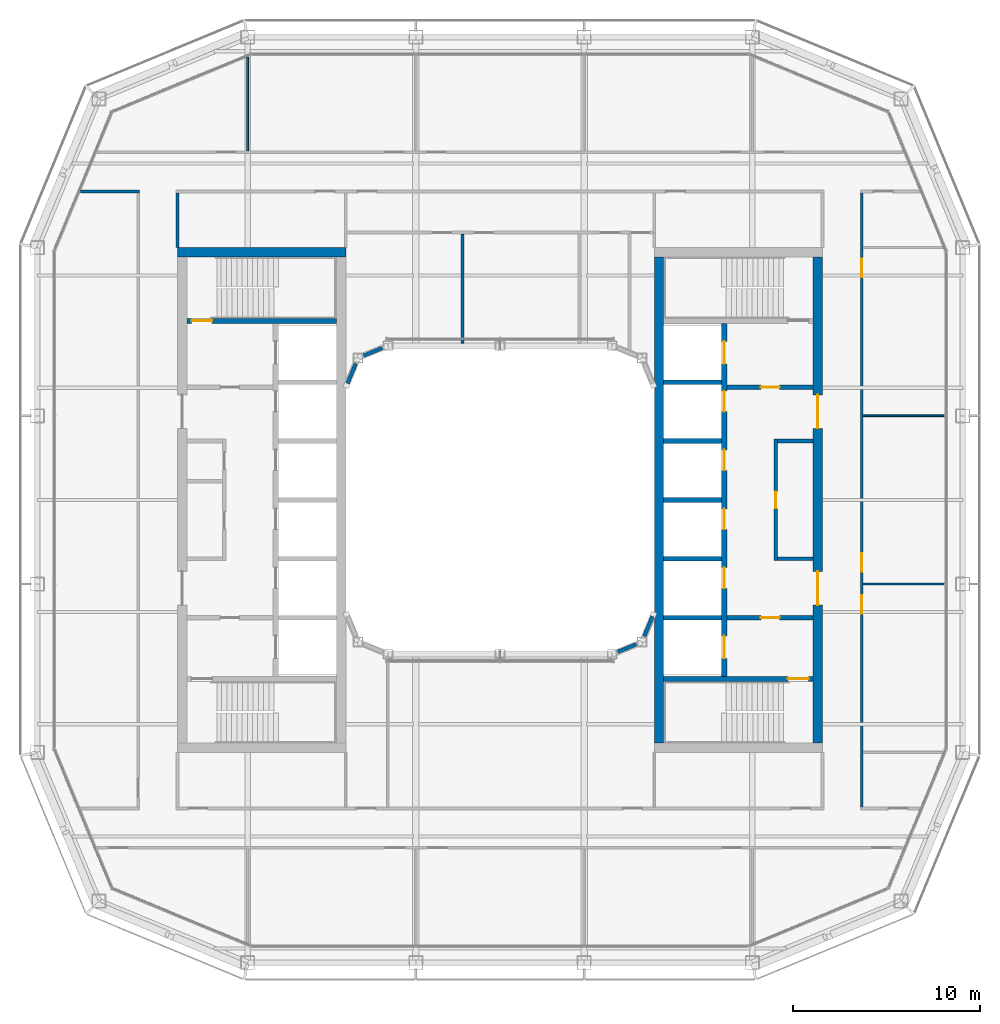
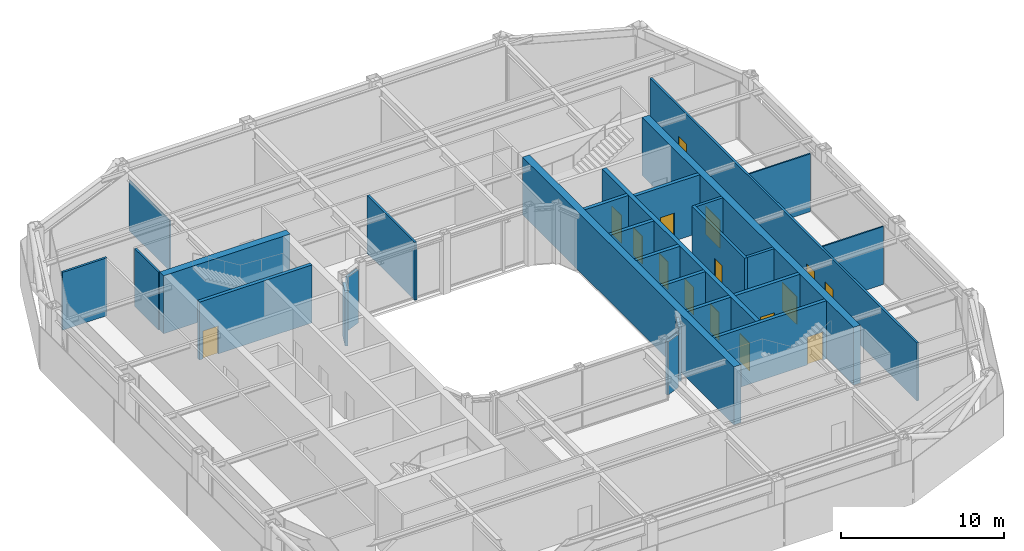
# One storey, part 11 of 17: 27 walls, 16 doors, 16 openings.
"""IFC4 building model written with IfcOpenShell, lengths in metres."""

from ifc_helpers import new_model, si_unit, direction, frame, frame_2d, origin, place, context, subcontext, project, spatial, rectangle, extrude, material, layer, layer_set, type_object, element, fill, save


model = new_model("IFC4")

# Units and contexts
model_context = context("Model", 3, precision=1e-05, world=origin(), true_north=direction((0.0, 1.0)))
body_context = subcontext(model_context, "Body", "Model", "MODEL_VIEW")
ifc_project = project(units=[si_unit("LENGTHUNIT", "METRE"), si_unit("AREAUNIT", "SQUARE_METRE"), si_unit("VOLUMEUNIT", "CUBIC_METRE"), si_unit("PLANEANGLEUNIT", "RADIAN"), si_unit("MASSUNIT", "GRAM", prefix="KILO")], contexts=[model_context])

# Site, building, storey
site_placement = place(None, origin())
site = spatial("IfcSite", under=ifc_project, at=site_placement, CompositionType="ELEMENT")
building_placement = place(site_placement, origin())
building = spatial("IfcBuilding", under=site, at=building_placement, Name="Siwar Civic Tower", CompositionType="ELEMENT")
storey_placement = place(building_placement, frame((0.0, 0.0, 289.699951171875)))
storey = spatial("IfcBuildingStorey", under=building, at=storey_placement, Name="L62", CompositionType="ELEMENT", Elevation=289.699951171875)

# Wall, opening, door
ifc_material_1 = material(Name="Gypsum board on steel studs", Category="steel")
ifc_layer_1 = layer(ifc_material_1, 0.199951171875)
ifc_layer_set_1 = layer_set([ifc_layer_1], Name="Gypsum board on steel studs")
wall_type_1 = type_object("IfcWallType", Name="CORE-PARTITION-200", PredefinedType="PARTITIONING", material=ifc_layer_set_1)
wall_1_placement = place(storey_placement, frame((14.75, -3.25, 0.0), z_axis=(0.0, 0.0, 1.0), x_axis=(0.0, 1.0, 0.0)))
wall_1 = element("IfcWall", 1, at=wall_1_placement, inside=storey, type_object=wall_type_1, Name="Core partition E", PredefinedType="PARTITIONING", context=body_context, shape_type="SweptSolid", body=[
    extrude(rectangle(XDim=6.5, YDim=0.199951171875, at=frame_2d((3.25, 0.0))), origin(), (0.0, 0.0, 1.0), 4.35009765625),
])
opening_1_placement = place(wall_1_placement, frame((2.800048828125, 0.0, 0.0)))
opening_1 = element("IfcOpeningElement", 2, at=opening_1_placement, cuts=wall_1, Name="Opening L62-CE13", PredefinedType="OPENING", context=body_context, shape_type="SweptSolid", body=[
    extrude(rectangle(XDim=0.89990234375, YDim=2.10009765625, at=frame_2d((0.449951171875, 1.050048828125))), frame((0.0, 0.10986328125, 0.0), z_axis=(0.0, -1.0, 0.0), x_axis=(1.0, 0.0, 0.0)), (0.0, 0.0, 1.0), 0.219970703125),
])
ifc_material_2 = material(Name="Steel door leaf", Category="steel")
door_type_1 = type_object("IfcDoorType", Name="CORE-DOOR-ROOM", OperationType="SINGLE_SWING_LEFT", PredefinedType="DOOR", material=ifc_material_2)
door_1_placement = place(opening_1_placement, origin())
door_1 = element("IfcDoor", 3, at=door_1_placement, inside=storey, type_object=door_type_1, Name="Core room door L62-CE13", OperationType="SINGLE_SWING_LEFT", OverallHeight=2.10009765625, OverallWidth=0.89990234375, PredefinedType="DOOR", context=body_context, shape_type="SweptSolid", body=[
    extrude(rectangle(XDim=0.89990234375, YDim=2.10009765625, at=frame_2d((0.449951171875, 1.050048828125))), frame((0.0, 0.02490234375, 0.0), z_axis=(0.0, -1.0, 0.0), x_axis=(1.0, 0.0, 0.0)), (0.0, 0.0, 1.0), 0.050048828125),
])
fill(opening_1, door_1)

# Walls
for number, where, z_axis, x_axis, name in (
    (4, (14.85009765625, 3.14990234375, 0.0), (0.0, 0.0, 1.0), (1.0, 0.0, 0.0), "Core partition E"),
    (5, (14.85009765625, -3.14990234375, 0.0), (0.0, 0.0, 1.0), (1.0, 0.0, 0.0), "Core partition E"),
):
    element("IfcWall", number, at=place(storey_placement, frame(where, z_axis=z_axis, x_axis=x_axis)), inside=storey, type_object=wall_type_1, Name=name, PredefinedType="PARTITIONING", context=body_context, shape_type="SweptSolid", body=[
        extrude(rectangle(XDim=1.89990234375, YDim=0.199951171875, at=frame_2d((0.949951171875, 0.0))), origin(), (0.0, 0.0, 1.0), 4.35009765625),
    ])

# Wall, opening, door
ifc_material_3 = material(Name="Concrete C60/75", Category="concrete")
ifc_layer_2 = layer(ifc_material_3, 0.25)
ifc_layer_set_2 = layer_set([ifc_layer_2], Name="Concrete C60/75")
wall_type_2 = type_object("IfcWallType", Name="CORE-WALL-RC250", PredefinedType="SHEAR", material=ifc_layer_set_2)
wall_2_placement = place(storey_placement, frame((-8.75, 9.574951171875, 0.0), z_axis=(0.0, 0.0, 1.0), x_axis=(-1.0, 0.0, 0.0)))
wall_2 = element("IfcWall", 6, at=wall_2_placement, inside=storey, type_object=wall_type_2, Name="Core wall W", PredefinedType="SHEAR", context=body_context, shape_type="SweptSolid", body=[
    extrude(rectangle(XDim=8.0, YDim=0.25, at=frame_2d((4.0, 0.0))), origin(), (0.0, 0.0, 1.0), 4.35009765625),
])
opening_2_placement = place(wall_2_placement, frame((6.64990234375, 0.0, 0.0)))
opening_2 = element("IfcOpeningElement", 7, at=opening_2_placement, cuts=wall_2, Name="Opening L62-CW03", PredefinedType="OPENING", context=body_context, shape_type="SweptSolid", body=[
    extrude(rectangle(XDim=1.10009765625, YDim=2.10009765625, at=frame_2d((0.550048828125, 1.050048828125))), frame((0.0, 0.135009765625, 0.0), z_axis=(0.0, -1.0, 0.0), x_axis=(1.0, 0.0, 0.0)), (0.0, 0.0, 1.0), 0.27001953125),
])
ifc_material_4 = material(Name="Steel door leaf", Category="steel")
door_type_2 = type_object("IfcDoorType", Name="CORE-DOOR-FD60S", OperationType="SINGLE_SWING_LEFT", PredefinedType="DOOR", material=ifc_material_4)
door_2_placement = place(opening_2_placement, origin())
door_2 = element("IfcDoor", 8, at=door_2_placement, inside=storey, type_object=door_type_2, Name="Stair door L62-CW03", OperationType="SINGLE_SWING_RIGHT", OverallHeight=2.10009765625, OverallWidth=1.10009765625, PredefinedType="DOOR", context=body_context, shape_type="SweptSolid", body=[
    extrude(rectangle(XDim=1.10009765625, YDim=2.10009765625, at=frame_2d((0.550048828125, 1.050048828125))), frame((0.0, 0.02490234375, 0.0), z_axis=(0.0, -1.0, 0.0), x_axis=(1.0, 0.0, 0.0)), (0.0, 0.0, 1.0), 0.050048828125),
])
fill(opening_2, door_2)

wall_3_placement = place(storey_placement, frame((12.14990234375, 6.02490234375, 0.0), z_axis=(0.0, 0.0, 1.0), x_axis=(1.0, 0.0, 0.0)))
wall_3 = element("IfcWall", 9, at=wall_3_placement, inside=storey, type_object=wall_type_2, Name="Core wall E", PredefinedType="SHEAR", context=body_context, shape_type="SweptSolid", body=[
    extrude(rectangle(XDim=4.60009765625, YDim=0.25, at=frame_2d((2.300048828125, 0.0))), origin(), (0.0, 0.0, 1.0), 4.35009765625),
])
opening_3_placement = place(wall_3_placement, frame((1.800048828125, 0.0, 0.0)))
opening_3 = element("IfcOpeningElement", 10, at=opening_3_placement, cuts=wall_3, Name="Opening L62-CE01", PredefinedType="OPENING", context=body_context, shape_type="SweptSolid", body=[
    extrude(rectangle(XDim=1.0, YDim=2.10009765625, at=frame_2d((0.5, 1.050048828125))), frame((0.0, 0.135009765625, 0.0), z_axis=(0.0, -1.0, 0.0), x_axis=(1.0, 0.0, 0.0)), (0.0, 0.0, 1.0), 0.27001953125),
])
ifc_material_5 = material(Name="Steel door leaf", Category="steel")
door_type_3 = type_object("IfcDoorType", Name="CORE-DOOR-FD30S", OperationType="SINGLE_SWING_LEFT", PredefinedType="DOOR", material=ifc_material_5)
door_3_placement = place(opening_3_placement, origin())
door_3 = element("IfcDoor", 11, at=door_3_placement, inside=storey, type_object=door_type_3, Name="Firefighting lobby door L62-CE01", OperationType="SINGLE_SWING_RIGHT", OverallHeight=2.10009765625, OverallWidth=1.0, PredefinedType="DOOR", context=body_context, shape_type="SweptSolid", body=[
    extrude(rectangle(XDim=1.0, YDim=2.10009765625, at=frame_2d((0.5, 1.050048828125))), frame((0.0, 0.02490234375, 0.0), z_axis=(0.0, -1.0, 0.0), x_axis=(1.0, 0.0, 0.0)), (0.0, 0.0, 1.0), 0.050048828125),
])
fill(opening_3, door_3)

wall_4_placement = place(storey_placement, frame((12.14990234375, -6.300048828125, 0.0), z_axis=(0.0, 0.0, 1.0), x_axis=(1.0, 0.0, 0.0)))
wall_4 = element("IfcWall", 12, at=wall_4_placement, inside=storey, type_object=wall_type_2, Name="Core wall E", PredefinedType="SHEAR", context=body_context, shape_type="SweptSolid", body=[
    extrude(rectangle(XDim=4.60009765625, YDim=0.25, at=frame_2d((2.300048828125, 0.0))), origin(), (0.0, 0.0, 1.0), 4.35009765625),
])
opening_4_placement = place(wall_4_placement, frame((1.800048828125, 0.0, 0.0)))
opening_4 = element("IfcOpeningElement", 13, at=opening_4_placement, cuts=wall_4, Name="Opening L62-CE02", PredefinedType="OPENING", context=body_context, shape_type="SweptSolid", body=[
    extrude(rectangle(XDim=1.0, YDim=2.10009765625, at=frame_2d((0.5, 1.050048828125))), frame((0.0, 0.135009765625, 0.0), z_axis=(0.0, -1.0, 0.0), x_axis=(1.0, 0.0, 0.0)), (0.0, 0.0, 1.0), 0.27001953125),
])
door_4_placement = place(opening_4_placement, origin())
door_4 = element("IfcDoor", 14, at=door_4_placement, inside=storey, type_object=door_type_3, Name="Service lobby door L62-CE02", OperationType="SINGLE_SWING_LEFT", OverallHeight=2.10009765625, OverallWidth=1.0, PredefinedType="DOOR", context=body_context, shape_type="SweptSolid", body=[
    extrude(rectangle(XDim=1.0, YDim=2.10009765625, at=frame_2d((0.5, 1.050048828125))), frame((0.0, 0.02490234375, 0.0), z_axis=(0.0, -1.0, 0.0), x_axis=(1.0, 0.0, 0.0)), (0.0, 0.0, 1.0), 0.050048828125),
])
fill(opening_4, door_4)

# Walls
for number, where, z_axis, x_axis, name in (
    (15, (8.75, 0.0, 0.0), (0.0, 0.0, 1.0), (1.0, 0.0, 0.0), "Core wall E"),
    (16, (8.75, 3.14990234375, 0.0), (0.0, 0.0, 1.0), (1.0, 0.0, 0.0), "Core wall E"),
    (17, (8.75, 6.300048828125, 0.0), (0.0, 0.0, 1.0), (1.0, 0.0, 0.0), "Core wall E"),
    (18, (8.75, -3.14990234375, 0.0), (0.0, 0.0, 1.0), (1.0, 0.0, 0.0), "Core wall E"),
    (19, (8.75, -6.300048828125, 0.0), (0.0, 0.0, 1.0), (1.0, 0.0, 0.0), "Core wall E"),
):
    element("IfcWall", number, at=place(storey_placement, frame(where, z_axis=z_axis, x_axis=x_axis)), inside=storey, type_object=wall_type_2, Name=name, PredefinedType="SHEAR", context=body_context, shape_type="SweptSolid", body=[
        extrude(rectangle(XDim=3.10009765625, YDim=0.25, at=frame_2d((1.550048828125, 0.0))), origin(), (0.0, 0.0, 1.0), 4.35009765625),
    ])

# Wall, opening, door
wall_5_placement = place(storey_placement, frame((8.75, -9.574951171875, 0.0), z_axis=(0.0, 0.0, 1.0), x_axis=(1.0, 0.0, 0.0)))
wall_5 = element("IfcWall", 20, at=wall_5_placement, inside=storey, type_object=wall_type_2, Name="Core wall E", PredefinedType="SHEAR", context=body_context, shape_type="SweptSolid", body=[
    extrude(rectangle(XDim=8.0, YDim=0.25, at=frame_2d((4.0, 0.0))), origin(), (0.0, 0.0, 1.0), 4.35009765625),
])
opening_5_placement = place(wall_5_placement, frame((6.64990234375, 0.0, 0.0)))
opening_5 = element("IfcOpeningElement", 21, at=opening_5_placement, cuts=wall_5, Name="Opening L62-CE04", PredefinedType="OPENING", context=body_context, shape_type="SweptSolid", body=[
    extrude(rectangle(XDim=1.10009765625, YDim=2.10009765625, at=frame_2d((0.550048828125, 1.050048828125))), frame((0.0, 0.135009765625, 0.0), z_axis=(0.0, -1.0, 0.0), x_axis=(1.0, 0.0, 0.0)), (0.0, 0.0, 1.0), 0.27001953125),
])
door_5_placement = place(opening_5_placement, origin())
door_5 = element("IfcDoor", 22, at=door_5_placement, inside=storey, type_object=door_type_2, Name="Stair door L62-CE04", OperationType="SINGLE_SWING_RIGHT", OverallHeight=2.10009765625, OverallWidth=1.10009765625, PredefinedType="DOOR", context=body_context, shape_type="SweptSolid", body=[
    extrude(rectangle(XDim=1.10009765625, YDim=2.10009765625, at=frame_2d((0.550048828125, 1.050048828125))), frame((0.0, 0.02490234375, 0.0), z_axis=(0.0, -1.0, 0.0), x_axis=(1.0, 0.0, 0.0)), (0.0, 0.0, 1.0), 0.050048828125),
])
fill(opening_5, door_5)

# Wall, openings, doors
ifc_material_6 = material(Name="Concrete C60/75", Category="concrete")
ifc_layer_3 = layer(ifc_material_6, 0.300048828125)
ifc_layer_set_3 = layer_set([ifc_layer_3], Name="Concrete C60/75")
wall_type_3 = type_object("IfcWallType", Name="CORE-WALL-RC300", PredefinedType="SHEAR", material=ifc_layer_set_3)
wall_6_placement = place(storey_placement, frame((12.0, -9.449951171875, 0.0), z_axis=(0.0, 0.0, 1.0), x_axis=(0.0, 1.0, 0.0)))
wall_6 = element("IfcWall", 23, at=wall_6_placement, inside=storey, type_object=wall_type_3, Name="Core wall E", PredefinedType="SHEAR", context=body_context, shape_type="SweptSolid", body=[
    extrude(rectangle(XDim=18.89990234375, YDim=0.300048828125, at=frame_2d((9.449951171875, 0.0))), origin(), (0.0, 0.0, 1.0), 4.35009765625),
])
opening_6_placement = place(wall_6_placement, frame((4.72509765625, 0.0, 0.0)))
opening_6 = element("IfcOpeningElement", 24, at=opening_6_placement, cuts=wall_6, Name="Opening L62-CE07", PredefinedType="OPENING", context=body_context, shape_type="SweptSolid", body=[
    extrude(rectangle(XDim=1.10009765625, YDim=2.10009765625, at=frame_2d((0.550048828125, 1.050048828125))), frame((0.0, 0.16015625, 0.0), z_axis=(0.0, -1.0, 0.0), x_axis=(1.0, 0.0, 0.0)), (0.0, 0.0, 1.0), 0.320068359375),
])
opening_7_placement = place(wall_6_placement, frame((7.875, 0.0, 0.0)))
opening_7 = element("IfcOpeningElement", 25, at=opening_7_placement, cuts=wall_6, Name="Opening L62-CE08", PredefinedType="OPENING", context=body_context, shape_type="SweptSolid", body=[
    extrude(rectangle(XDim=1.10009765625, YDim=2.10009765625, at=frame_2d((0.550048828125, 1.050048828125))), frame((0.0, 0.16015625, 0.0), z_axis=(0.0, -1.0, 0.0), x_axis=(1.0, 0.0, 0.0)), (0.0, 0.0, 1.0), 0.320068359375),
])
opening_8_placement = place(wall_6_placement, frame((11.02490234375, 0.0, 0.0)))
opening_8 = element("IfcOpeningElement", 26, at=opening_8_placement, cuts=wall_6, Name="Opening L62-CE09", PredefinedType="OPENING", context=body_context, shape_type="SweptSolid", body=[
    extrude(rectangle(XDim=1.10009765625, YDim=2.10009765625, at=frame_2d((0.550048828125, 1.050048828125))), frame((0.0, 0.16015625, 0.0), z_axis=(0.0, -1.0, 0.0), x_axis=(1.0, 0.0, 0.0)), (0.0, 0.0, 1.0), 0.320068359375),
])
opening_9_placement = place(wall_6_placement, frame((14.175048828125, 0.0, 0.0)))
opening_9 = element("IfcOpeningElement", 27, at=opening_9_placement, cuts=wall_6, Name="Opening L62-CE10", PredefinedType="OPENING", context=body_context, shape_type="SweptSolid", body=[
    extrude(rectangle(XDim=1.10009765625, YDim=2.10009765625, at=frame_2d((0.550048828125, 1.050048828125))), frame((0.0, 0.16015625, 0.0), z_axis=(0.0, -1.0, 0.0), x_axis=(1.0, 0.0, 0.0)), (0.0, 0.0, 1.0), 0.320068359375),
])
opening_10_placement = place(wall_6_placement, frame((16.72509765625, 0.0, 0.0)))
opening_10 = element("IfcOpeningElement", 28, at=opening_10_placement, cuts=wall_6, Name="Opening L62-CE11", PredefinedType="OPENING", context=body_context, shape_type="SweptSolid", body=[
    extrude(rectangle(XDim=1.199951171875, YDim=2.10009765625, at=frame_2d((0.60009765625, 1.050048828125))), frame((0.0, 0.16015625, 0.0), z_axis=(0.0, -1.0, 0.0), x_axis=(1.0, 0.0, 0.0)), (0.0, 0.0, 1.0), 0.320068359375),
])
opening_11_placement = place(wall_6_placement, frame((0.97509765625, 0.0, 0.0)))
opening_11 = element("IfcOpeningElement", 29, at=opening_11_placement, cuts=wall_6, Name="Opening L62-CE12", PredefinedType="OPENING", context=body_context, shape_type="SweptSolid", body=[
    extrude(rectangle(XDim=1.199951171875, YDim=2.10009765625, at=frame_2d((0.60009765625, 1.050048828125))), frame((0.0, 0.16015625, 0.0), z_axis=(0.0, -1.0, 0.0), x_axis=(1.0, 0.0, 0.0)), (0.0, 0.0, 1.0), 0.320068359375),
])
ifc_material_7 = material(Name="Steel door leaf", Category="steel")
door_type_4 = type_object("IfcDoorType", Name="CORE-DOOR-LD", OperationType="DOUBLE_DOOR_SLIDING", PredefinedType="DOOR", material=ifc_material_7)
door_6_placement = place(opening_6_placement, origin())
door_6 = element("IfcDoor", 30, at=door_6_placement, inside=storey, type_object=door_type_4, Name="Landing door HR5 L62-CE07", OperationType="DOUBLE_DOOR_SLIDING", OverallHeight=2.10009765625, OverallWidth=1.10009765625, PredefinedType="DOOR", context=body_context, shape_type="SweptSolid", body=[
    extrude(rectangle(XDim=1.10009765625, YDim=2.10009765625, at=frame_2d((0.550048828125, 1.050048828125))), frame((0.0, 0.02490234375, 0.0), z_axis=(0.0, -1.0, 0.0), x_axis=(1.0, 0.0, 0.0)), (0.0, 0.0, 1.0), 0.050048828125),
])
fill(opening_6, door_6)
door_7_placement = place(opening_7_placement, origin())
door_7 = element("IfcDoor", 31, at=door_7_placement, inside=storey, type_object=door_type_4, Name="Landing door HR6 L62-CE08", OperationType="DOUBLE_DOOR_SLIDING", OverallHeight=2.10009765625, OverallWidth=1.10009765625, PredefinedType="DOOR", context=body_context, shape_type="SweptSolid", body=[
    extrude(rectangle(XDim=1.10009765625, YDim=2.10009765625, at=frame_2d((0.550048828125, 1.050048828125))), frame((0.0, 0.02490234375, 0.0), z_axis=(0.0, -1.0, 0.0), x_axis=(1.0, 0.0, 0.0)), (0.0, 0.0, 1.0), 0.050048828125),
])
fill(opening_7, door_7)
door_8_placement = place(opening_8_placement, origin())
door_8 = element("IfcDoor", 32, at=door_8_placement, inside=storey, type_object=door_type_4, Name="Landing door HR7 L62-CE09", OperationType="DOUBLE_DOOR_SLIDING", OverallHeight=2.10009765625, OverallWidth=1.10009765625, PredefinedType="DOOR", context=body_context, shape_type="SweptSolid", body=[
    extrude(rectangle(XDim=1.10009765625, YDim=2.10009765625, at=frame_2d((0.550048828125, 1.050048828125))), frame((0.0, 0.02490234375, 0.0), z_axis=(0.0, -1.0, 0.0), x_axis=(1.0, 0.0, 0.0)), (0.0, 0.0, 1.0), 0.050048828125),
])
fill(opening_8, door_8)
door_9_placement = place(opening_9_placement, origin())
door_9 = element("IfcDoor", 33, at=door_9_placement, inside=storey, type_object=door_type_4, Name="Landing door HR8 L62-CE10", OperationType="DOUBLE_DOOR_SLIDING", OverallHeight=2.10009765625, OverallWidth=1.10009765625, PredefinedType="DOOR", context=body_context, shape_type="SweptSolid", body=[
    extrude(rectangle(XDim=1.10009765625, YDim=2.10009765625, at=frame_2d((0.550048828125, 1.050048828125))), frame((0.0, 0.02490234375, 0.0), z_axis=(0.0, -1.0, 0.0), x_axis=(1.0, 0.0, 0.0)), (0.0, 0.0, 1.0), 0.050048828125),
])
fill(opening_9, door_9)
ifc_material_8 = material(Name="Steel door leaf", Category="steel")
door_type_5 = type_object("IfcDoorType", Name="CORE-DOOR-LDW", OperationType="DOUBLE_DOOR_SLIDING", PredefinedType="DOOR", material=ifc_material_8)
door_10_placement = place(opening_10_placement, origin())
door_10 = element("IfcDoor", 34, at=door_10_placement, inside=storey, type_object=door_type_5, Name="Landing door FF2 L62-CE11", OperationType="DOUBLE_DOOR_SLIDING", OverallHeight=2.10009765625, OverallWidth=1.199951171875, PredefinedType="DOOR", context=body_context, shape_type="SweptSolid", body=[
    extrude(rectangle(XDim=1.199951171875, YDim=2.10009765625, at=frame_2d((0.60009765625, 1.050048828125))), frame((0.0, 0.02490234375, 0.0), z_axis=(0.0, -1.0, 0.0), x_axis=(1.0, 0.0, 0.0)), (0.0, 0.0, 1.0), 0.050048828125),
])
fill(opening_10, door_10)
door_11_placement = place(opening_11_placement, origin())
door_11 = element("IfcDoor", 35, at=door_11_placement, inside=storey, type_object=door_type_5, Name="Landing door SV2 L62-CE12", OperationType="DOUBLE_DOOR_SLIDING", OverallHeight=2.10009765625, OverallWidth=1.199951171875, PredefinedType="DOOR", context=body_context, shape_type="SweptSolid", body=[
    extrude(rectangle(XDim=1.199951171875, YDim=2.10009765625, at=frame_2d((0.60009765625, 1.050048828125))), frame((0.0, 0.02490234375, 0.0), z_axis=(0.0, -1.0, 0.0), x_axis=(1.0, 0.0, 0.0)), (0.0, 0.0, 1.0), 0.050048828125),
])
fill(opening_11, door_11)

# Wall
ifc_material_9 = material(Name="Concrete C60/75", Category="concrete")
ifc_layer_4 = layer(ifc_material_9, 0.5)
ifc_layer_set_4 = layer_set([ifc_layer_4], Name="Concrete C60/75")
wall_type_4 = type_object("IfcWallType", Name="CORE-WALL-RC500", PredefinedType="SHEAR", material=ifc_layer_set_4)
wall_7_placement = place(storey_placement, frame((-8.25, 13.25, 0.0), z_axis=(0.0, 0.0, 1.0), x_axis=(-1.0, 0.0, 0.0)))
element("IfcWall", 36, at=wall_7_placement, inside=storey, type_object=wall_type_4, Name="Core wall W", PredefinedType="SHEAR", context=body_context, shape_type="SweptSolid", body=[
    extrude(rectangle(XDim=9.0, YDim=0.5, at=frame_2d((4.5, 0.0))), origin(), (0.0, 0.0, 1.0), 4.35009765625),
])

# Wall, openings, doors
wall_8_placement = place(storey_placement, frame((17.0, -13.0, 0.0), z_axis=(0.0, 0.0, 1.0), x_axis=(0.0, 1.0, 0.0)))
wall_8 = element("IfcWall", 37, at=wall_8_placement, inside=storey, type_object=wall_type_4, Name="Core wall E", PredefinedType="SHEAR", context=body_context, shape_type="SweptSolid", body=[
    extrude(rectangle(XDim=26.0, YDim=0.5, at=frame_2d((13.0, 0.0))), origin(), (0.0, 0.0, 1.0), 4.35009765625),
])
opening_12_placement = place(wall_8_placement, frame((16.824951171875, 0.0, 0.0)))
opening_12 = element("IfcOpeningElement", 38, at=opening_12_placement, cuts=wall_8, Name="Opening L62-CE05", PredefinedType="OPENING", context=body_context, shape_type="SweptSolid", body=[
    extrude(rectangle(XDim=1.800048828125, YDim=2.10009765625, at=frame_2d((0.89990234375, 1.050048828125))), frame((0.0, 0.260009765625, 0.0), z_axis=(0.0, -1.0, 0.0), x_axis=(1.0, 0.0, 0.0)), (0.0, 0.0, 1.0), 0.52001953125),
])
opening_13_placement = place(wall_8_placement, frame((7.375, 0.0, 0.0)))
opening_13 = element("IfcOpeningElement", 39, at=opening_13_placement, cuts=wall_8, Name="Opening L62-CE06", PredefinedType="OPENING", context=body_context, shape_type="SweptSolid", body=[
    extrude(rectangle(XDim=1.800048828125, YDim=2.10009765625, at=frame_2d((0.89990234375, 1.050048828125))), frame((0.0, 0.260009765625, 0.0), z_axis=(0.0, -1.0, 0.0), x_axis=(1.0, 0.0, 0.0)), (0.0, 0.0, 1.0), 0.52001953125),
])
ifc_material_10 = material(Name="Steel door leaf", Category="steel")
door_type_6 = type_object("IfcDoorType", Name="CORE-DOOR-PORT", OperationType="DOUBLE_DOOR_DOUBLE_SWING", PredefinedType="DOOR", material=ifc_material_10)
door_12_placement = place(opening_12_placement, origin())
door_12 = element("IfcDoor", 40, at=door_12_placement, inside=storey, type_object=door_type_6, Name="Core entrance door L62-CE05", OperationType="DOUBLE_DOOR_DOUBLE_SWING", OverallHeight=2.10009765625, OverallWidth=1.800048828125, PredefinedType="DOOR", context=body_context, shape_type="SweptSolid", body=[
    extrude(rectangle(XDim=1.800048828125, YDim=2.10009765625, at=frame_2d((0.89990234375, 1.050048828125))), frame((0.0, 0.02490234375, 0.0), z_axis=(0.0, -1.0, 0.0), x_axis=(1.0, 0.0, 0.0)), (0.0, 0.0, 1.0), 0.050048828125),
])
fill(opening_12, door_12)
door_13_placement = place(opening_13_placement, origin())
door_13 = element("IfcDoor", 41, at=door_13_placement, inside=storey, type_object=door_type_6, Name="Core entrance door L62-CE06", OperationType="DOUBLE_DOOR_DOUBLE_SWING", OverallHeight=2.10009765625, OverallWidth=1.800048828125, PredefinedType="DOOR", context=body_context, shape_type="SweptSolid", body=[
    extrude(rectangle(XDim=1.800048828125, YDim=2.10009765625, at=frame_2d((0.89990234375, 1.050048828125))), frame((0.0, 0.02490234375, 0.0), z_axis=(0.0, -1.0, 0.0), x_axis=(1.0, 0.0, 0.0)), (0.0, 0.0, 1.0), 0.050048828125),
])
fill(opening_13, door_13)

# Walls
ifc_material_11 = material(Name="Concrete C60/75", Category="concrete")
ifc_layer_5 = layer(ifc_material_11, 0.5)
ifc_layer_set_5 = layer_set([ifc_layer_5], Name="Concrete C60/75")
wall_type_5 = type_object("IfcWallType", Name="CORE-WALL-RC500-EXT", PredefinedType="SHEAR", material=ifc_layer_set_5)
wall_9_placement = place(storey_placement, frame((8.5, -13.0, 0.0), z_axis=(0.0, 0.0, 1.0), x_axis=(0.0, 1.0, 0.0)))
element("IfcWall", 42, at=wall_9_placement, inside=storey, type_object=wall_type_5, Name="Core wall E", PredefinedType="SHEAR", context=body_context, shape_type="SweptSolid", body=[
    extrude(rectangle(XDim=26.0, YDim=0.5, at=frame_2d((13.0, 0.0))), origin(), (0.0, 0.0, 1.0), 4.35009765625),
])
ifc_material_12 = material(Name="Gypsum board on steel studs", Category="steel")
ifc_layer_6 = layer(ifc_material_12, 0.14990234375)
ifc_layer_set_6 = layer_set([ifc_layer_6], Name="Gypsum board on steel studs")
wall_type_6 = type_object("IfcWallType", Name="CORRIDOR PARTITION 150 EI 30", PredefinedType="PARTITIONING", material=ifc_layer_set_6)
wall_10_placement = place(storey_placement, frame((-22.43603515625, 16.5, 0.0), z_axis=(0.0, 0.0, 1.0), x_axis=(1.0, 0.0, 0.0)))
element("IfcWall", 43, at=wall_10_placement, inside=storey, type_object=wall_type_6, Name="L62/wall/P11", PredefinedType="PARTITIONING", context=body_context, shape_type="SweptSolid", body=[
    extrude(rectangle(XDim=3.1611328125, YDim=0.14990234375, at=frame_2d((1.58056640625, 0.0))), origin(), (0.0, 0.0, 1.0), 4.35009765625),
])
wall_11_placement = place(storey_placement, frame((-17.25, 13.5, 0.0), z_axis=(0.0, 0.0, 1.0), x_axis=(0.0, 1.0, 0.0)))
element("IfcWall", 44, at=wall_11_placement, inside=storey, type_object=wall_type_6, Name="L62/wall/P17", PredefinedType="PARTITIONING", context=body_context, shape_type="SweptSolid", body=[
    extrude(rectangle(XDim=2.925048828125, YDim=0.14990234375, at=frame_2d((1.46240234375, 0.0))), origin(), (0.0, 0.0, 1.0), 4.35009765625),
])
wall_12_placement = place(storey_placement, frame((-2.0, 8.3701171875, 0.0), z_axis=(0.0, 0.0, 1.0), x_axis=(0.0, 1.0, 0.0)))
element("IfcWall", 45, at=wall_12_placement, inside=storey, type_object=wall_type_6, Name="L62/wall/P25", PredefinedType="PARTITIONING", context=body_context, shape_type="SweptSolid", body=[
    extrude(rectangle(XDim=5.85498046875, YDim=0.14990234375, at=frame_2d((2.927490234375, 0.0))), origin(), (0.0, 0.0, 1.0), 4.35009765625),
])

# Wall, openings, doors
wall_13_placement = place(storey_placement, frame((19.35009765625, -16.425048828125, 0.0), z_axis=(0.0, 0.0, 1.0), x_axis=(0.0, 1.0, 0.0)))
wall_13 = element("IfcWall", 46, at=wall_13_placement, inside=storey, type_object=wall_type_6, Name="L62/wall/P37", PredefinedType="PARTITIONING", context=body_context, shape_type="SweptSolid", body=[
    extrude(rectangle(XDim=32.85009765625, YDim=0.14990234375, at=frame_2d((16.425048828125, 0.0))), origin(), (0.0, 0.0, 1.0), 4.35009765625),
])
opening_14_placement = place(wall_13_placement, frame((10.324951171875, 0.0, 0.0)))
opening_14 = element("IfcOpeningElement", 47, at=opening_14_placement, cuts=wall_13, Name="Opening D1", PredefinedType="OPENING", context=body_context, shape_type="SweptSolid", body=[
    extrude(rectangle(XDim=1.0, YDim=2.10009765625, at=frame_2d((0.5, 1.050048828125))), frame((0.0, 0.0849609375, 0.0), z_axis=(0.0, -1.0, 0.0), x_axis=(1.0, 0.0, 0.0)), (0.0, 0.0, 1.0), 0.169921875),
])
opening_15_placement = place(wall_13_placement, frame((12.574951171875, 0.0, 0.0)))
opening_15 = element("IfcOpeningElement", 48, at=opening_15_placement, cuts=wall_13, Name="Opening D1", PredefinedType="OPENING", context=body_context, shape_type="SweptSolid", body=[
    extrude(rectangle(XDim=1.0, YDim=2.10009765625, at=frame_2d((0.5, 1.050048828125))), frame((0.0, 0.0849609375, 0.0), z_axis=(0.0, -1.0, 0.0), x_axis=(1.0, 0.0, 0.0)), (0.0, 0.0, 1.0), 0.169921875),
])
opening_16_placement = place(wall_13_placement, frame((28.324951171875, 0.0, 0.0)))
opening_16 = element("IfcOpeningElement", 49, at=opening_16_placement, cuts=wall_13, Name="Opening D1", PredefinedType="OPENING", context=body_context, shape_type="SweptSolid", body=[
    extrude(rectangle(XDim=1.0, YDim=2.10009765625, at=frame_2d((0.5, 1.050048828125))), frame((0.0, 0.0849609375, 0.0), z_axis=(0.0, -1.0, 0.0), x_axis=(1.0, 0.0, 0.0)), (0.0, 0.0, 1.0), 0.169921875),
])
ifc_material_13 = material(Name="Timber, painted", Category="wood")
door_type_7 = type_object("IfcDoorType", Name="DOOR 1000 X 2100 FD30", OperationType="SINGLE_SWING_LEFT", PredefinedType="DOOR", material=ifc_material_13)
door_14_placement = place(opening_14_placement, origin())
door_14 = element("IfcDoor", 50, at=door_14_placement, inside=storey, type_object=door_type_7, Name="L62-D24", OperationType="SINGLE_SWING_RIGHT", OverallHeight=2.10009765625, OverallWidth=1.0, PredefinedType="DOOR", context=body_context, shape_type="SweptSolid", body=[
    extrude(rectangle(XDim=1.0, YDim=2.10009765625, at=frame_2d((0.5, 1.050048828125))), frame((0.0, 0.02490234375, 0.0), z_axis=(0.0, -1.0, 0.0), x_axis=(1.0, 0.0, 0.0)), (0.0, 0.0, 1.0), 0.050048828125),
])
fill(opening_14, door_14)
door_15_placement = place(opening_15_placement, origin())
door_15 = element("IfcDoor", 51, at=door_15_placement, inside=storey, type_object=door_type_7, Name="L62-D25", OperationType="SINGLE_SWING_LEFT", OverallHeight=2.10009765625, OverallWidth=1.0, PredefinedType="DOOR", context=body_context, shape_type="SweptSolid", body=[
    extrude(rectangle(XDim=1.0, YDim=2.10009765625, at=frame_2d((0.5, 1.050048828125))), frame((0.0, 0.02490234375, 0.0), z_axis=(0.0, -1.0, 0.0), x_axis=(1.0, 0.0, 0.0)), (0.0, 0.0, 1.0), 0.050048828125),
])
fill(opening_15, door_15)
door_16_placement = place(opening_16_placement, origin())
door_16 = element("IfcDoor", 52, at=door_16_placement, inside=storey, type_object=door_type_7, Name="L62-D26", OperationType="SINGLE_SWING_RIGHT", OverallHeight=2.10009765625, OverallWidth=1.0, PredefinedType="DOOR", context=body_context, shape_type="SweptSolid", body=[
    extrude(rectangle(XDim=1.0, YDim=2.10009765625, at=frame_2d((0.5, 1.050048828125))), frame((0.0, 0.02490234375, 0.0), z_axis=(0.0, -1.0, 0.0), x_axis=(1.0, 0.0, 0.0)), (0.0, 0.0, 1.0), 0.050048828125),
])
fill(opening_16, door_16)

# Walls
ifc_material_14 = material(Name="Aluminium clad insulated panel", Category="aluminium")
ifc_layer_7 = layer(ifc_material_14, 0.199951171875)
ifc_layer_set_7 = layer_set([ifc_layer_7], Name="Aluminium clad insulated panel")
wall_type_7 = type_object("IfcWallType", Name="ENV-WALL-WELL", PredefinedType="STANDARD", material=ifc_layer_set_7)
wall_14_placement = place(storey_placement, frame((6.3017578125, -8.125, 0.0), z_axis=(0.0, 0.0, 1.0), x_axis=(0.923919409248, 0.382587147216, 0.0)))
element("IfcWall", 53, at=wall_14_placement, inside=storey, type_object=wall_type_7, Name="Light well corner wall SE1", PredefinedType="STANDARD", context=body_context, shape_type="SweptSolid", body=[
    extrude(rectangle(XDim=1.06884765625, YDim=0.199951171875, at=frame_2d((0.534423828125, 0.0))), origin(), (0.0, 0.0, 1.0), 4.010009765625),
])
wall_15_placement = place(storey_placement, frame((7.716064453125, -7.289306640625, 0.0), z_axis=(0.0, 0.0, 1.0), x_axis=(0.382571404949, 0.923925927829, 0.0)))
element("IfcWall", 54, at=wall_15_placement, inside=storey, type_object=wall_type_7, Name="Light well corner wall SE2", PredefinedType="STANDARD", context=body_context, shape_type="SweptSolid", body=[
    extrude(rectangle(XDim=1.1455078125, YDim=0.199951171875, at=frame_2d((0.57275390625, 0.0))), origin(), (0.0, 0.0, 1.0), 4.010009765625),
])
wall_16_placement = place(storey_placement, frame((-6.3017578125, 8.125, 0.0), z_axis=(0.0, 0.0, 1.0), x_axis=(-0.923919409248, -0.382587147216, 0.0)))
element("IfcWall", 55, at=wall_16_placement, inside=storey, type_object=wall_type_7, Name="Light well corner wall NW1", PredefinedType="STANDARD", context=body_context, shape_type="SweptSolid", body=[
    extrude(rectangle(XDim=1.06884765625, YDim=0.199951171875, at=frame_2d((0.534423828125, 0.0))), origin(), (0.0, 0.0, 1.0), 4.010009765625),
])
wall_17_placement = place(storey_placement, frame((-7.716064453125, 7.289306640625, 0.0), z_axis=(0.0, 0.0, 1.0), x_axis=(-0.382571404949, -0.923925927829, 0.0)))
element("IfcWall", 56, at=wall_17_placement, inside=storey, type_object=wall_type_7, Name="Light well corner wall NW2", PredefinedType="STANDARD", context=body_context, shape_type="SweptSolid", body=[
    extrude(rectangle(XDim=1.1455078125, YDim=0.199951171875, at=frame_2d((0.57275390625, 0.0))), origin(), (0.0, 0.0, 1.0), 4.010009765625),
])
ifc_material_15 = material(Name="Gypsum board on steel studs", Category="steel")
ifc_layer_8 = layer(ifc_material_15, 0.10009765625)
ifc_layer_set_8 = layer_set([ifc_layer_8], Name="Gypsum board on steel studs")
wall_type_8 = type_object("IfcWallType", Name="PARTITION 100 GYPSUM", PredefinedType="PARTITIONING", material=ifc_layer_set_8)
for number, where, z_axis, x_axis, name in (
    (57, (19.425048828125, -4.5, 0.0), (0.0, 0.0, 1.0), (1.0, 0.0, 0.0), "L62/wall/P06"),
    (58, (19.425048828125, 4.5, 0.0), (0.0, 0.0, 1.0), (1.0, 0.0, 0.0), "L62/wall/P07"),
):
    element("IfcWall", number, at=place(storey_placement, frame(where, z_axis=z_axis, x_axis=x_axis)), inside=storey, type_object=wall_type_8, Name=name, PredefinedType="PARTITIONING", context=body_context, shape_type="SweptSolid", body=[
        extrude(rectangle(XDim=4.3349609375, YDim=0.10009765625, at=frame_2d((2.16748046875, 0.0))), origin(), (0.0, 0.0, 1.0), 4.35009765625),
    ])
wall_18_placement = place(storey_placement, frame((-13.5, 18.675048828125, 0.0), z_axis=(0.0, 0.0, 1.0), x_axis=(0.0, 1.0, 0.0)))
element("IfcWall", 59, at=wall_18_placement, inside=storey, type_object=wall_type_8, Name="L62/wall/P19", PredefinedType="PARTITIONING", context=body_context, shape_type="SweptSolid", body=[
    extrude(rectangle(XDim=5.0029296875, YDim=0.10009765625, at=frame_2d((2.50146484375, 0.0))), origin(), (0.0, 0.0, 1.0), 3.75),
])

save(model, "model.ifc")
